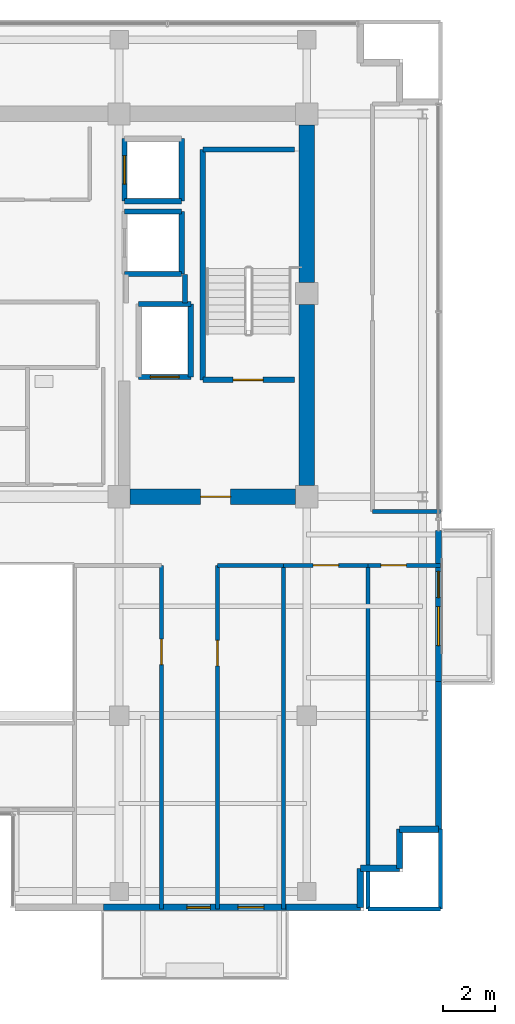
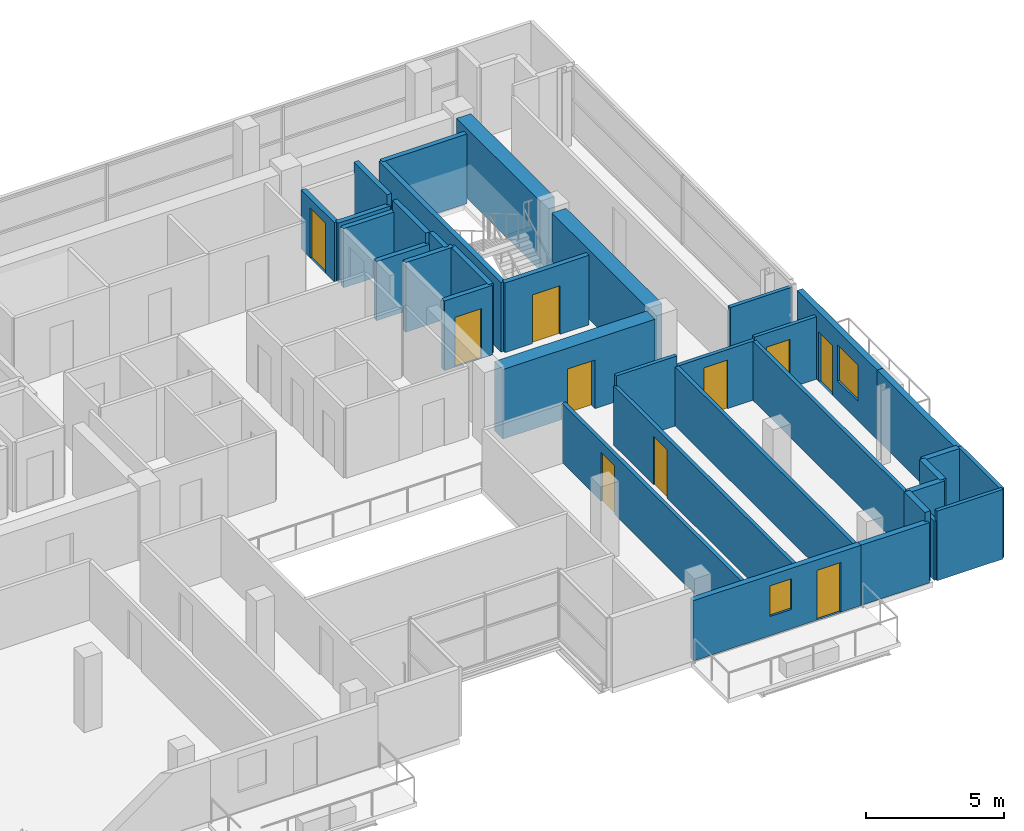
# One storey, part 18 of 22: 34 walls, 10 doors, 2 windows, 12 openings.
"""IFC4 building model written with IfcOpenShell, lengths in metres."""

from ifc_helpers import new_model, si_unit, direction, frame, frame_2d, origin, place, context, subcontext, project, spatial, rectangle, extrude, source, transform, mapped, material, layer, layer_set, type_object, element, fill, save


model = new_model("IFC4")

# Units and contexts
model_context = context("Model", 3, precision=1e-05, world=origin(), true_north=direction((0.0, 1.0)))
body_context = subcontext(model_context, "Body", "Model", "MODEL_VIEW")
ifc_project = project(units=[si_unit("LENGTHUNIT", "METRE"), si_unit("AREAUNIT", "SQUARE_METRE"), si_unit("VOLUMEUNIT", "CUBIC_METRE"), si_unit("PLANEANGLEUNIT", "RADIAN"), si_unit("MASSUNIT", "GRAM", prefix="KILO")], contexts=[model_context])

# Site, building, storey
site_placement = place(None, origin())
site = spatial("IfcSite", under=ifc_project, at=site_placement, CompositionType="ELEMENT")
building_placement = place(site_placement, origin())
building = spatial("IfcBuilding", under=site, at=building_placement, Name="Zarnakvel Exchange Tower", CompositionType="ELEMENT")
storey_placement = place(building_placement, frame((0.0, 0.0, 225.39990234375)))
storey = spatial("IfcBuildingStorey", under=building, at=storey_placement, Name="L63", CompositionType="ELEMENT", Elevation=225.39990234375)

# Walls
ifc_material_1 = material(Name="Concrete C50/60", Category="concrete")
ifc_layer_1 = layer(ifc_material_1, 0.60009765625)
ifc_layer_set_1 = layer_set([ifc_layer_1], Name="Concrete C50/60")
wall_type_1 = type_object("IfcWallType", Name="CW-C5", PredefinedType="SHEAR", material=ifc_layer_set_1)
wall_1_placement = place(storey_placement, frame((14.39990234375, -0.77490234375, 0.0), z_axis=(0.0, 0.0, 1.0), x_axis=(0.0, 1.0, 0.0)))
element("IfcWall", 1, at=wall_1_placement, inside=storey, type_object=wall_type_1, Name="L63 Rear Core Shear Wall E1 (CW-C5)", PredefinedType="SHEAR", context=body_context, shape_type="SweptSolid", body=[
    extrude(rectangle(XDim=6.949951171875, YDim=0.60009765625, at=frame_2d((3.47509765625, 0.0))), origin(), (0.0, 0.0, 1.0), 3.0751953125),
])
wall_2_placement = place(storey_placement, frame((14.39990234375, 7.02490234375, 0.0), z_axis=(0.0, 0.0, 1.0), x_axis=(0.0, 1.0, 0.0)))
element("IfcWall", 2, at=wall_2_placement, inside=storey, type_object=wall_type_1, Name="L63 Rear Core Shear Wall E2 (CW-C5)", PredefinedType="SHEAR", context=body_context, shape_type="SweptSolid", body=[
    extrude(rectangle(XDim=6.050048828125, YDim=0.60009765625, at=frame_2d((3.02490234375, 0.0))), origin(), (0.0, 0.0, 1.0), 3.0751953125),
])

# Wall, opening, door
wall_3_placement = place(storey_placement, frame((13.97509765625, -1.199951171875, 0.0), z_axis=(0.0, 0.0, 1.0), x_axis=(-1.0, 0.0, 0.0)))
wall_3 = element("IfcWall", 3, at=wall_3_placement, inside=storey, type_object=wall_type_1, Name="L63 Rear Core Shear Wall SE (CW-C5)", PredefinedType="SHEAR", context=body_context, shape_type="SweptSolid", body=[
    extrude(rectangle(XDim=6.35009765625, YDim=0.60009765625, at=frame_2d((3.175048828125, 0.0))), origin(), (0.0, 0.0, 1.0), 3.0751953125),
])
opening_1_placement = place(wall_3_placement, frame((2.5, 0.0, 0.0)))
opening_1 = element("IfcOpeningElement", 4, at=opening_1_placement, cuts=wall_3, Name="Opening D-L63-04", PredefinedType="OPENING", context=body_context, shape_type="SweptSolid", body=[
    extrude(rectangle(XDim=1.14990234375, YDim=2.14990234375, at=frame_2d((0.574951171875, 1.074951171875))), frame((0.0, 0.31005859375, 0.0), z_axis=(0.0, -1.0, 0.0), x_axis=(1.0, 0.0, 0.0)), (0.0, 0.0, 1.0), 0.6201171875),
])
ifc_material_2 = material(Name="Painted Galvanised Steel S355", Category="steel")
door_type_1 = type_object("IfcDoorType", Name="DT-04", OperationType="NOTDEFINED", PredefinedType="DOOR", material=ifc_material_2)
shared_shape_1 = source(origin(), body_context, "Body", "SweptSolid", [
    extrude(rectangle(XDim=1.14990234375, YDim=2.14990234375, at=frame_2d((0.574951171875, 1.074951171875))), frame((0.0, 0.02490234375, 0.0), z_axis=(0.0, -1.0, 0.0), x_axis=(1.0, 0.0, 0.0)), (0.0, 0.0, 1.0), 0.050048828125),
])
door_1_placement = place(opening_1_placement, origin())
door_1 = element("IfcDoor", 5, at=door_1_placement, inside=storey, type_object=door_type_1, Name="L63 Firefighting Lobby East Door D-L63-04", OperationType="SINGLE_SWING_RIGHT", OverallHeight=2.14990234375, OverallWidth=1.14990234375, PredefinedType="DOOR", context=body_context, shape_type="MappedRepresentation", body=[
    mapped(shared_shape_1, transform((0.0, 0.0, 0.0), x_axis=(1.0, 0.0, 0.0), y_axis=(0.0, 1.0, 0.0), z_axis=(0.0, 0.0, 1.0), scale=1.0)),
])
fill(opening_1, door_1)

# Wall, openings, door, window
ifc_material_3 = material(Name="Precast concrete C40/50", Category="concrete")
ifc_layer_2 = layer(ifc_material_3, 0.239990234375)
ifc_layer_set_2 = layer_set([ifc_layer_2], Name="Precast concrete C40/50")
wall_type_2 = type_object("IfcWallType", Name="EW-02", PredefinedType="SOLIDWALL", material=ifc_layer_set_2)
wall_4_placement = place(storey_placement, frame((13.60009765625, -16.9599609375, 0.0), z_axis=(0.0, 0.0, 1.0), x_axis=(-1.0, 0.0, 0.0)))
wall_4 = element("IfcWall", 6, at=wall_4_placement, inside=storey, type_object=wall_type_2, Name="L63 Exterior Precast Spandrel Wall EW-BAL-L63-SE (EW-02)", PredefinedType="SOLIDWALL", context=body_context, shape_type="SweptSolid", body=[
    extrude(rectangle(XDim=7.0, YDim=0.239990234375, at=frame_2d((3.5, 0.0))), origin(), (0.0, 0.0, 1.0), 2.6650390625),
])
opening_2_placement = place(wall_4_placement, frame((0.840087890625, 0.0, 0.0)))
opening_2 = element("IfcOpeningElement", 7, at=opening_2_placement, cuts=wall_4, Name="Opening BD-L63-02", PredefinedType="OPENING", context=body_context, shape_type="SweptSolid", body=[
    extrude(rectangle(XDim=1.0, YDim=2.199951171875, at=frame_2d((0.5, 1.10009765625))), frame((0.0, 0.1298828125, 0.0), z_axis=(0.0, -1.0, 0.0), x_axis=(1.0, 0.0, 0.0)), (0.0, 0.0, 1.0), 0.260009765625),
])
opening_3_placement = place(wall_4_placement, frame((2.89990234375, 0.0, 0.85009765625)))
opening_3 = element("IfcOpeningElement", 8, at=opening_3_placement, cuts=wall_4, Name="Opening WN-06", PredefinedType="OPENING", context=body_context, shape_type="SweptSolid", body=[
    extrude(rectangle(XDim=0.89990234375, YDim=1.35009765625, at=frame_2d((0.449951171875, 0.675048828125))), frame((0.0, 0.1298828125, 0.0), z_axis=(0.0, -1.0, 0.0), x_axis=(1.0, 0.0, 0.0)), (0.0, 0.0, 1.0), 0.260009765625),
])
ifc_material_4 = material(Name="Architectural Bronze Anodised Aluminium", Category="aluminium")
door_type_2 = type_object("IfcDoorType", Name="DT-09", OperationType="NOTDEFINED", PredefinedType="DOOR", material=ifc_material_4)
shared_shape_2 = source(origin(), body_context, "Body", "SweptSolid", [
    extrude(rectangle(XDim=1.0, YDim=2.199951171875, at=frame_2d((0.5, 1.10009765625))), frame((0.0, 0.02490234375, 0.0), z_axis=(0.0, -1.0, 0.0), x_axis=(1.0, 0.0, 0.0)), (0.0, 0.0, 1.0), 0.050048828125),
])
door_2_placement = place(opening_2_placement, origin())
door_2 = element("IfcDoor", 9, at=door_2_placement, inside=storey, type_object=door_type_2, Name="L63 Planted Loggia Balcony Door BD-L63-02", OperationType="SINGLE_SWING_RIGHT", OverallHeight=2.199951171875, OverallWidth=1.0, PredefinedType="DOOR", context=body_context, shape_type="MappedRepresentation", body=[
    mapped(shared_shape_2, transform((0.0, 0.0, 0.0), x_axis=(1.0, 0.0, 0.0), y_axis=(0.0, 1.0, 0.0), z_axis=(0.0, 0.0, 1.0), scale=1.0)),
])
fill(opening_2, door_2)
ifc_material_5 = material(Name="Double Low-E Laminated Vision Glass", Category="glass")
window_type_1 = type_object("IfcWindowType", Name="WN-06", PartitioningType="SINGLE_PANEL", PredefinedType="WINDOW", material=ifc_material_5)
shared_shape_3 = source(origin(), body_context, "Body", "SweptSolid", [
    extrude(rectangle(XDim=0.89990234375, YDim=1.35009765625, at=frame_2d((0.449951171875, 0.675048828125))), frame((0.0, 0.030029296875, 0.0), z_axis=(0.0, -1.0, 0.0), x_axis=(1.0, 0.0, 0.0)), (0.0, 0.0, 1.0), 0.06005859375),
])
window_1_placement = place(opening_3_placement, origin())
window_1 = element("IfcWindow", 10, at=window_1_placement, inside=storey, type_object=window_type_1, Name="L63 Loggia Daylight Window (WN-06)", OverallHeight=1.35009765625, OverallWidth=0.89990234375, PartitioningType="SINGLE_PANEL", PredefinedType="WINDOW", context=body_context, shape_type="MappedRepresentation", body=[
    mapped(shared_shape_3, transform((0.0, 0.0, 0.0), x_axis=(1.0, 0.0, 0.0), y_axis=(0.0, 1.0, 0.0), z_axis=(0.0, 0.0, 1.0), scale=1.0)),
])
fill(opening_3, window_1)

wall_5_placement = place(storey_placement, frame((19.4599609375, -2.5, 0.0), z_axis=(0.0, 0.0, 1.0), x_axis=(0.0, -1.0, 0.0)))
wall_5 = element("IfcWall", 11, at=wall_5_placement, inside=storey, type_object=wall_type_2, Name="L63 Exterior Precast Spandrel Wall EW-BAL-L63-E (EW-02)", PredefinedType="SOLIDWALL", context=body_context, shape_type="SweptSolid", body=[
    extrude(rectangle(XDim=5.800048828125, YDim=0.239990234375, at=frame_2d((2.89990234375, 0.0))), origin(), (0.0, 0.0, 1.0), 3.0751953125),
])
opening_4_placement = place(wall_5_placement, frame((1.56591796875, 0.0, 0.0)))
opening_4 = element("IfcOpeningElement", 12, at=opening_4_placement, cuts=wall_5, Name="Opening BD-L63-03", PredefinedType="OPENING", context=body_context, shape_type="SweptSolid", body=[
    extrude(rectangle(XDim=1.0, YDim=2.199951171875, at=frame_2d((0.5, 1.10009765625))), frame((0.0, 0.1298828125, 0.0), z_axis=(0.0, -1.0, 0.0), x_axis=(1.0, 0.0, 0.0)), (0.0, 0.0, 1.0), 0.260009765625),
])
opening_5_placement = place(wall_5_placement, frame((2.916015625, 0.0, 0.85009765625)))
opening_5 = element("IfcOpeningElement", 13, at=opening_5_placement, cuts=wall_5, Name="Opening WN-03", PredefinedType="OPENING", context=body_context, shape_type="SweptSolid", body=[
    extrude(rectangle(XDim=1.5, YDim=1.60009765625, at=frame_2d((0.75, 0.800048828125))), frame((0.0, 0.1298828125, 0.0), z_axis=(0.0, -1.0, 0.0), x_axis=(1.0, 0.0, 0.0)), (0.0, 0.0, 1.0), 0.260009765625),
])
door_3_placement = place(opening_4_placement, origin())
door_3 = element("IfcDoor", 14, at=door_3_placement, inside=storey, type_object=door_type_2, Name="L63 Planted Loggia Balcony Door BD-L63-03", OperationType="SINGLE_SWING_LEFT", OverallHeight=2.199951171875, OverallWidth=1.0, PredefinedType="DOOR", context=body_context, shape_type="MappedRepresentation", body=[
    mapped(shared_shape_2, transform((0.0, 0.0, 0.0), x_axis=(1.0, 0.0, 0.0), y_axis=(0.0, 1.0, 0.0), z_axis=(0.0, 0.0, 1.0), scale=1.0)),
])
fill(opening_4, door_3)
window_type_2 = type_object("IfcWindowType", Name="WN-03", PartitioningType="SINGLE_PANEL", PredefinedType="WINDOW", material=ifc_material_5)
shared_shape_4 = source(origin(), body_context, "Body", "SweptSolid", [
    extrude(rectangle(XDim=1.5, YDim=1.60009765625, at=frame_2d((0.75, 0.800048828125))), frame((0.0, 0.030029296875, 0.0), z_axis=(0.0, -1.0, 0.0), x_axis=(1.0, 0.0, 0.0)), (0.0, 0.0, 1.0), 0.06005859375),
])
window_2_placement = place(opening_5_placement, origin())
window_2 = element("IfcWindow", 15, at=window_2_placement, inside=storey, type_object=window_type_2, Name="L63 Loggia Daylight Window (WN-03)", OverallHeight=1.60009765625, OverallWidth=1.5, PartitioningType="SINGLE_PANEL", PredefinedType="WINDOW", context=body_context, shape_type="MappedRepresentation", body=[
    mapped(shared_shape_4, transform((0.0, 0.0, 0.0), x_axis=(1.0, 0.0, 0.0), y_axis=(0.0, 1.0, 0.0), z_axis=(0.0, 0.0, 1.0), scale=1.0)),
])
fill(opening_5, window_2)

# Walls
wall_6_placement = place(storey_placement, frame((19.4599609375, -13.9599609375, 0.0), z_axis=(0.0, 0.0, 1.0), x_axis=(0.0, 1.0, 0.0)))
element("IfcWall", 16, at=wall_6_placement, inside=storey, type_object=wall_type_2, Name="L63 Exterior Precast Spandrel Wall EWC-L63-10 (EW-02)", PredefinedType="SOLIDWALL", context=body_context, shape_type="SweptSolid", body=[
    extrude(rectangle(XDim=5.659912109375, YDim=0.239990234375, at=frame_2d((2.830078125, 0.0))), origin(), (0.0, 0.0, 1.0), 3.0751953125),
])
for number, where, z_axis, x_axis, name in (
    (17, (17.9599609375, -13.9599609375, 0.0), (0.0, 0.0, 1.0), (1.0, 0.0, 0.0), "L63 Exterior Precast Spandrel Wall EWC-L63-11 (EW-02)"),
    (18, (17.9599609375, -15.4599609375, 0.0), (0.0, 0.0, 1.0), (0.0, 1.0, 0.0), "L63 Exterior Precast Spandrel Wall EWC-L63-12 (EW-02)"),
    (19, (16.4599609375, -15.4599609375, 0.0), (0.0, 0.0, 1.0), (1.0, 0.0, 0.0), "L63 Exterior Precast Spandrel Wall EWC-L63-13 (EW-02)"),
    (20, (16.4599609375, -16.9599609375, 0.0), (0.0, 0.0, 1.0), (0.0, 1.0, 0.0), "L63 Exterior Precast Spandrel Wall EWC-L63-14 (EW-02)"),
):
    element("IfcWall", number, at=place(storey_placement, frame(where, z_axis=z_axis, x_axis=x_axis)), inside=storey, type_object=wall_type_2, Name=name, PredefinedType="SOLIDWALL", context=body_context, shape_type="SweptSolid", body=[
        extrude(rectangle(XDim=1.5, YDim=0.239990234375, at=frame_2d((0.75, 0.0))), origin(), (0.0, 0.0, 1.0), 3.0751953125),
    ])
wall_7_placement = place(storey_placement, frame((13.60009765625, -16.9599609375, 0.0), z_axis=(0.0, 0.0, 1.0), x_axis=(1.0, 0.0, 0.0)))
element("IfcWall", 21, at=wall_7_placement, inside=storey, type_object=wall_type_2, Name="L63 Exterior Precast Spandrel Wall EWC-L63-15 (EW-02)", PredefinedType="SOLIDWALL", context=body_context, shape_type="SweptSolid", body=[
    extrude(rectangle(XDim=2.85986328125, YDim=0.239990234375, at=frame_2d((1.429931640625, 0.0))), origin(), (0.0, 0.0, 1.0), 2.6650390625),
])
ifc_material_6 = material(Name="Fire-Rated Gypsum Stud Partition", Category="gypsum")
ifc_layer_3 = layer(ifc_material_6, 0.14990234375)
ifc_layer_set_3 = layer_set([ifc_layer_3], Name="Fire-Rated Gypsum Stud Partition")
wall_type_3 = type_object("IfcWallType", Name="PT-01", PredefinedType="PARTITIONING", material=ifc_layer_set_3)
wall_8_placement = place(storey_placement, frame((10.97998046875, -3.830078125, 0.0), z_axis=(0.0, 0.0, 1.0), x_axis=(1.0, 0.0, 0.0)))
element("IfcWall", 22, at=wall_8_placement, inside=storey, type_object=wall_type_3, Name="L63 Partition Wall PWALL-L63-049 (PT-01)", PredefinedType="PARTITIONING", context=body_context, shape_type="SweptSolid", body=[
    extrude(rectangle(XDim=2.533447265625, YDim=0.14990234375, at=frame_2d((1.2666015625, 0.0))), origin(), (0.0, 0.0, 1.0), 3.0751953125),
])

# Wall, opening, door
wall_9_placement = place(storey_placement, frame((10.97998046875, -17.030029296875, 0.0), z_axis=(0.0, 0.0, 1.0), x_axis=(0.0, 1.0, 0.0)))
wall_9 = element("IfcWall", 23, at=wall_9_placement, inside=storey, type_object=wall_type_3, Name="L63 Partition Wall PWALL-L63-050 (PT-01)", PredefinedType="PARTITIONING", context=body_context, shape_type="SweptSolid", body=[
    extrude(rectangle(XDim=13.199951171875, YDim=0.14990234375, at=frame_2d((6.60009765625, 0.0))), origin(), (0.0, 0.0, 1.0), 2.614990234375),
])
opening_6_placement = place(wall_9_placement, frame((9.340087890625, 0.0, 0.0)))
opening_6 = element("IfcOpeningElement", 24, at=opening_6_placement, cuts=wall_9, Name="Opening D-L63-18", PredefinedType="OPENING", context=body_context, shape_type="SweptSolid", body=[
    extrude(rectangle(XDim=0.97998046875, YDim=2.14990234375, at=frame_2d((0.489990234375, 1.074951171875))), frame((0.0, 0.0849609375, 0.0), z_axis=(0.0, -1.0, 0.0), x_axis=(1.0, 0.0, 0.0)), (0.0, 0.0, 1.0), 0.169921875),
])
ifc_material_7 = material(Name="Timber Acoustic Veneer", Category="wood")
door_type_3 = type_object("IfcDoorType", Name="DT-05", OperationType="NOTDEFINED", PredefinedType="DOOR", material=ifc_material_7)
shared_shape_5 = source(origin(), body_context, "Body", "SweptSolid", [
    extrude(rectangle(XDim=0.97998046875, YDim=2.14990234375, at=frame_2d((0.489990234375, 1.074951171875))), frame((0.0, 0.02490234375, 0.0), z_axis=(0.0, -1.0, 0.0), x_axis=(1.0, 0.0, 0.0)), (0.0, 0.0, 1.0), 0.050048828125),
])
door_4_placement = place(opening_6_placement, origin())
door_4 = element("IfcDoor", 25, at=door_4_placement, inside=storey, type_object=door_type_3, Name="L63 Conference Room Door D-L63-18", OperationType="SINGLE_SWING_RIGHT", OverallHeight=2.14990234375, OverallWidth=0.97998046875, PredefinedType="DOOR", context=body_context, shape_type="MappedRepresentation", body=[
    mapped(shared_shape_5, transform((0.0, 0.0, 0.0), x_axis=(1.0, 0.0, 0.0), y_axis=(0.0, 1.0, 0.0), z_axis=(0.0, 0.0, 1.0), scale=1.0)),
])
fill(opening_6, door_4)

# Wall
wall_10_placement = place(storey_placement, frame((13.513427734375, -3.830078125, 0.0), z_axis=(0.0, 0.0, 1.0), x_axis=(0.0, -1.0, 0.0)))
element("IfcWall", 26, at=wall_10_placement, inside=storey, type_object=wall_type_3, Name="L63 Partition Wall PWALL-L63-051 (PT-01)", PredefinedType="PARTITIONING", context=body_context, shape_type="SweptSolid", body=[
    extrude(rectangle(XDim=13.199951171875, YDim=0.14990234375, at=frame_2d((6.60009765625, 0.0))), origin(), (0.0, 0.0, 1.0), 2.614990234375),
])

# Wall, opening, door
wall_11_placement = place(storey_placement, frame((13.513427734375, -3.830078125, 0.0), z_axis=(0.0, 0.0, 1.0), x_axis=(1.0, 0.0, 0.0)))
wall_11 = element("IfcWall", 27, at=wall_11_placement, inside=storey, type_object=wall_type_3, Name="L63 Partition Wall PWALL-L63-053 (PT-01)", PredefinedType="PARTITIONING", context=body_context, shape_type="SweptSolid", body=[
    extrude(rectangle(XDim=3.24560546875, YDim=0.14990234375, at=frame_2d((1.622802734375, 0.0))), origin(), (0.0, 0.0, 1.0), 2.614990234375),
])
opening_7_placement = place(wall_11_placement, frame((1.132568359375, 0.0, 0.0)))
opening_7 = element("IfcOpeningElement", 28, at=opening_7_placement, cuts=wall_11, Name="Opening D-L63-19", PredefinedType="OPENING", context=body_context, shape_type="SweptSolid", body=[
    extrude(rectangle(XDim=0.97998046875, YDim=2.14990234375, at=frame_2d((0.489990234375, 1.074951171875))), frame((0.0, 0.0849609375, 0.0), z_axis=(0.0, -1.0, 0.0), x_axis=(1.0, 0.0, 0.0)), (0.0, 0.0, 1.0), 0.169921875),
])
door_5_placement = place(opening_7_placement, origin())
door_5 = element("IfcDoor", 29, at=door_5_placement, inside=storey, type_object=door_type_3, Name="L63 Executive Suite Door D-L63-19", OperationType="SINGLE_SWING_LEFT", OverallHeight=2.14990234375, OverallWidth=0.97998046875, PredefinedType="DOOR", context=body_context, shape_type="MappedRepresentation", body=[
    mapped(shared_shape_5, transform((0.0, 0.0, 0.0), x_axis=(1.0, 0.0, 0.0), y_axis=(0.0, 1.0, 0.0), z_axis=(0.0, 0.0, 1.0), scale=1.0)),
])
fill(opening_7, door_5)

# Walls
wall_12_placement = place(storey_placement, frame((16.759033203125, -3.830078125, 0.0), z_axis=(0.0, 0.0, 1.0), x_axis=(0.0, -1.0, 0.0)))
element("IfcWall", 30, at=wall_12_placement, inside=storey, type_object=wall_type_3, Name="L63 Partition Wall PWALL-L63-054 (PT-01)", PredefinedType="PARTITIONING", context=body_context, shape_type="SweptSolid", body=[
    extrude(rectangle(XDim=13.199951171875, YDim=0.14990234375, at=frame_2d((6.60009765625, 0.0))), origin(), (0.0, 0.0, 1.0), 2.614990234375),
])
wall_13_placement = place(storey_placement, frame((19.530029296875, -17.030029296875, 0.0), z_axis=(0.0, 0.0, 1.0), x_axis=(-1.0, 0.0, 0.0)))
element("IfcWall", 31, at=wall_13_placement, inside=storey, type_object=wall_type_3, Name="L63 Partition Wall PWALL-L63-055 (PT-01)", PredefinedType="PARTITIONING", context=body_context, shape_type="SweptSolid", body=[
    extrude(rectangle(XDim=2.77099609375, YDim=0.14990234375, at=frame_2d((1.385498046875, 0.0))), origin(), (0.0, 0.0, 1.0), 3.0751953125),
])

# Wall, opening, door
wall_14_placement = place(storey_placement, frame((16.759033203125, -3.830078125, 0.0), z_axis=(0.0, 0.0, 1.0), x_axis=(1.0, 0.0, 0.0)))
wall_14 = element("IfcWall", 32, at=wall_14_placement, inside=storey, type_object=wall_type_3, Name="L63 Partition Wall PWALL-L63-056 (PT-01)", PredefinedType="PARTITIONING", context=body_context, shape_type="SweptSolid", body=[
    extrude(rectangle(XDim=2.77099609375, YDim=0.14990234375, at=frame_2d((1.385498046875, 0.0))), origin(), (0.0, 0.0, 1.0), 2.76513671875),
])
opening_8_placement = place(wall_14_placement, frame((0.489990234375, 0.0, 0.0)))
opening_8 = element("IfcOpeningElement", 33, at=opening_8_placement, cuts=wall_14, Name="Opening D-L63-20", PredefinedType="OPENING", context=body_context, shape_type="SweptSolid", body=[
    extrude(rectangle(XDim=0.97998046875, YDim=2.14990234375, at=frame_2d((0.489990234375, 1.074951171875))), frame((0.0, 0.0849609375, 0.0), z_axis=(0.0, -1.0, 0.0), x_axis=(1.0, 0.0, 0.0)), (0.0, 0.0, 1.0), 0.169921875),
])
door_6_placement = place(opening_8_placement, origin())
door_6 = element("IfcDoor", 34, at=door_6_placement, inside=storey, type_object=door_type_3, Name="L63 Staff Pantry Door D-L63-20", OperationType="SINGLE_SWING_RIGHT", OverallHeight=2.14990234375, OverallWidth=0.97998046875, PredefinedType="DOOR", context=body_context, shape_type="MappedRepresentation", body=[
    mapped(shared_shape_5, transform((0.0, 0.0, 0.0), x_axis=(1.0, 0.0, 0.0), y_axis=(0.0, 1.0, 0.0), z_axis=(0.0, 0.0, 1.0), scale=1.0)),
])
fill(opening_8, door_6)

# Wall
wall_15_placement = place(storey_placement, frame((19.530029296875, -13.9599609375, 0.0), z_axis=(0.0, 0.0, 1.0), x_axis=(0.0, -1.0, 0.0)))
element("IfcWall", 35, at=wall_15_placement, inside=storey, type_object=wall_type_3, Name="L63 Partition Wall PWALL-L63-057 (PT-01)", PredefinedType="PARTITIONING", context=body_context, shape_type="SweptSolid", body=[
    extrude(rectangle(XDim=3.070068359375, YDim=0.14990234375, at=frame_2d((1.53515625, 0.0))), origin(), (0.0, 0.0, 1.0), 3.0751953125),
])

# Wall, opening, door
wall_16_placement = place(storey_placement, frame((8.820068359375, -3.830078125, 0.0), z_axis=(0.0, 0.0, 1.0), x_axis=(0.0, -1.0, 0.0)))
wall_16 = element("IfcWall", 36, at=wall_16_placement, inside=storey, type_object=wall_type_3, Name="L63 Partition Wall PWALL-L63-065 (PT-01)", PredefinedType="PARTITIONING", context=body_context, shape_type="SweptSolid", body=[
    extrude(rectangle(XDim=13.199951171875, YDim=0.14990234375, at=frame_2d((6.60009765625, 0.0))), origin(), (0.0, 0.0, 1.0), 2.614990234375),
])
opening_9_placement = place(wall_16_placement, frame((2.8349609375, 0.0, 0.0)))
opening_9 = element("IfcOpeningElement", 37, at=opening_9_placement, cuts=wall_16, Name="Opening D-L63-22", PredefinedType="OPENING", context=body_context, shape_type="SweptSolid", body=[
    extrude(rectangle(XDim=0.97998046875, YDim=2.14990234375, at=frame_2d((0.489990234375, 1.074951171875))), frame((0.0, 0.0849609375, 0.0), z_axis=(0.0, -1.0, 0.0), x_axis=(1.0, 0.0, 0.0)), (0.0, 0.0, 1.0), 0.169921875),
])
door_7_placement = place(opening_9_placement, origin())
door_7 = element("IfcDoor", 38, at=door_7_placement, inside=storey, type_object=door_type_3, Name="L63 Compliance Office Door D-L63-22", OperationType="SINGLE_SWING_RIGHT", OverallHeight=2.14990234375, OverallWidth=0.97998046875, PredefinedType="DOOR", context=body_context, shape_type="MappedRepresentation", body=[
    mapped(shared_shape_5, transform((0.0, 0.0, 0.0), x_axis=(1.0, 0.0, 0.0), y_axis=(0.0, 1.0, 0.0), z_axis=(0.0, 0.0, 1.0), scale=1.0)),
])
fill(opening_9, door_7)

# Walls
wall_17_placement = place(storey_placement, frame((19.530029296875, -1.77001953125, 0.0), z_axis=(0.0, 0.0, 1.0), x_axis=(-1.0, 0.0, 0.0)))
element("IfcWall", 39, at=wall_17_placement, inside=storey, type_object=wall_type_3, Name="L63 Partition Wall PWALL-L63-071 (PT-01)", PredefinedType="PARTITIONING", context=body_context, shape_type="SweptSolid", body=[
    extrude(rectangle(XDim=2.60009765625, YDim=0.14990234375, at=frame_2d((1.300048828125, 0.0))), origin(), (0.0, 0.0, 1.0), 2.76513671875),
])
ifc_layer_4 = layer(ifc_material_6, 0.179931640625)
ifc_layer_set_4 = layer_set([ifc_layer_4], Name="Fire-Rated Gypsum Stud Partition")
wall_type_4 = type_object("IfcWallType", Name="PT-02", PredefinedType="PARTITIONING", material=ifc_layer_set_4)
wall_18_placement = place(storey_placement, frame((9.72998046875, 7.330078125, 0.0), z_axis=(0.0, 0.0, 1.0), x_axis=(0.0, -1.0, 0.0)))
element("IfcWall", 40, at=wall_18_placement, inside=storey, type_object=wall_type_4, Name="L63 Partition Wall PWALL-L63-010 (PT-02)", PredefinedType="PARTITIONING", context=body_context, shape_type="SweptSolid", body=[
    extrude(rectangle(XDim=1.090087890625, YDim=0.179931640625, at=frame_2d((0.544921875, 0.0))), origin(), (0.0, 0.0, 1.0), 3.0751953125),
])

# Wall, opening, door
ifc_material_8 = material(Name="Concrete C40/50", Category="concrete")
ifc_layer_5 = layer(ifc_material_8, 0.199951171875)
ifc_layer_set_5 = layer_set([ifc_layer_5], Name="Concrete C40/50")
wall_type_5 = type_object("IfcWallType", Name="SW-01", PredefinedType="SOLIDWALL", material=ifc_layer_set_5)
wall_19_placement = place(storey_placement, frame((9.949951171875, 3.39990234375, 0.0), z_axis=(0.0, 0.0, 1.0), x_axis=(-1.0, 0.0, 0.0)))
wall_19 = element("IfcWall", 41, at=wall_19_placement, inside=storey, type_object=wall_type_5, Name="L63 FL-02 Hoistway Wall South", PredefinedType="SOLIDWALL", context=body_context, shape_type="SweptSolid", body=[
    extrude(rectangle(XDim=2.0, YDim=0.199951171875, at=frame_2d((1.0, 0.0))), origin(), (0.0, 0.0, 1.0), 3.0751953125),
])
opening_10_placement = place(wall_19_placement, frame((0.449951171875, 0.0, 0.0)))
opening_10 = element("IfcOpeningElement", 42, at=opening_10_placement, cuts=wall_19, Name="Opening LD-FL-02-L63", PredefinedType="OPENING", context=body_context, shape_type="SweptSolid", body=[
    extrude(rectangle(XDim=1.10009765625, YDim=2.199951171875, at=frame_2d((0.550048828125, 1.10009765625))), frame((0.0, 0.10986328125, 0.0), z_axis=(0.0, -1.0, 0.0), x_axis=(1.0, 0.0, 0.0)), (0.0, 0.0, 1.0), 0.219970703125),
])
ifc_material_9 = material(Name="Brushed Stainless Steel", Category="steel")
door_type_4 = type_object("IfcDoorType", Name="LDT-01", OperationType="NOTDEFINED", PredefinedType="DOOR", material=ifc_material_9)
shared_shape_6 = source(origin(), body_context, "Body", "SweptSolid", [
    extrude(rectangle(XDim=1.10009765625, YDim=2.199951171875, at=frame_2d((0.550048828125, 1.10009765625))), frame((0.0, 0.02490234375, 0.0), z_axis=(0.0, -1.0, 0.0), x_axis=(1.0, 0.0, 0.0)), (0.0, 0.0, 1.0), 0.050048828125),
])
door_8_placement = place(opening_10_placement, origin())
door_8 = element("IfcDoor", 43, at=door_8_placement, inside=storey, type_object=door_type_4, Name="L63 FL-02 Lift Landing Door LD-FL-02-L63", OperationType="DOUBLE_DOOR_SLIDING", OverallHeight=2.199951171875, OverallWidth=1.10009765625, PredefinedType="DOOR", context=body_context, shape_type="MappedRepresentation", body=[
    mapped(shared_shape_6, transform((0.0, 0.0, 0.0), x_axis=(1.0, 0.0, 0.0), y_axis=(0.0, 1.0, 0.0), z_axis=(0.0, 0.0, 1.0), scale=1.0)),
])
fill(opening_10, door_8)

# Walls
wall_20_placement = place(storey_placement, frame((7.949951171875, 6.199951171875, 0.0), z_axis=(0.0, 0.0, 1.0), x_axis=(1.0, 0.0, 0.0)))
element("IfcWall", 44, at=wall_20_placement, inside=storey, type_object=wall_type_5, Name="L63 FL-02 Hoistway Wall North", PredefinedType="SOLIDWALL", context=body_context, shape_type="SweptSolid", body=[
    extrude(rectangle(XDim=2.0, YDim=0.199951171875, at=frame_2d((1.0, 0.0))), origin(), (0.0, 0.0, 1.0), 3.0751953125),
])
wall_21_placement = place(storey_placement, frame((9.949951171875, 6.199951171875, 0.0), z_axis=(0.0, 0.0, 1.0), x_axis=(0.0, -1.0, 0.0)))
element("IfcWall", 45, at=wall_21_placement, inside=storey, type_object=wall_type_5, Name="L63 FL-02 Hoistway Wall East", PredefinedType="SOLIDWALL", context=body_context, shape_type="SweptSolid", body=[
    extrude(rectangle(XDim=2.800048828125, YDim=0.199951171875, at=frame_2d((1.39990234375, 0.0))), origin(), (0.0, 0.0, 1.0), 3.0751953125),
])
for number, where, z_axis, x_axis, name in (
    (46, (9.60009765625, 7.35009765625, 0.0), (0.0, 0.0, 1.0), (-1.0, 0.0, 0.0), "L63 PL-11 Hoistway Wall South"),
    (47, (7.39990234375, 9.75, 0.0), (0.0, 0.0, 1.0), (1.0, 0.0, 0.0), "L63 PL-11 Hoistway Wall North"),
):
    element("IfcWall", number, at=place(storey_placement, frame(where, z_axis=z_axis, x_axis=x_axis)), inside=storey, type_object=wall_type_5, Name=name, PredefinedType="SOLIDWALL", context=body_context, shape_type="SweptSolid", body=[
        extrude(rectangle(XDim=2.2001953125, YDim=0.199951171875, at=frame_2d((1.10009765625, 0.0))), origin(), (0.0, 0.0, 1.0), 2.614990234375),
    ])
wall_22_placement = place(storey_placement, frame((9.60009765625, 9.75, 0.0), z_axis=(0.0, 0.0, 1.0), x_axis=(0.0, -1.0, 0.0)))
element("IfcWall", 48, at=wall_22_placement, inside=storey, type_object=wall_type_5, Name="L63 PL-11 Hoistway Wall East", PredefinedType="SOLIDWALL", context=body_context, shape_type="SweptSolid", body=[
    extrude(rectangle(XDim=2.39990234375, YDim=0.199951171875, at=frame_2d((1.199951171875, 0.0))), origin(), (0.0, 0.0, 1.0), 3.0751953125),
])
wall_23_placement = place(storey_placement, frame((9.60009765625, 10.14990234375, 0.0), z_axis=(0.0, 0.0, 1.0), x_axis=(-1.0, 0.0, 0.0)))
element("IfcWall", 49, at=wall_23_placement, inside=storey, type_object=wall_type_5, Name="L63 PL-12 Hoistway Wall South", PredefinedType="SOLIDWALL", context=body_context, shape_type="SweptSolid", body=[
    extrude(rectangle(XDim=2.2001953125, YDim=0.199951171875, at=frame_2d((1.10009765625, 0.0))), origin(), (0.0, 0.0, 1.0), 2.614990234375),
])

# Wall, opening, door
wall_24_placement = place(storey_placement, frame((7.39990234375, 10.14990234375, 0.0), z_axis=(0.0, 0.0, 1.0), x_axis=(0.0, 1.0, 0.0)))
wall_24 = element("IfcWall", 50, at=wall_24_placement, inside=storey, type_object=wall_type_5, Name="L63 PL-12 Hoistway Wall West", PredefinedType="SOLIDWALL", context=body_context, shape_type="SweptSolid", body=[
    extrude(rectangle(XDim=2.400146484375, YDim=0.199951171875, at=frame_2d((1.2001953125, 0.0))), origin(), (0.0, 0.0, 1.0), 2.614990234375),
])
opening_11_placement = place(wall_24_placement, frame((0.64990234375, 0.0, 0.0)))
opening_11 = element("IfcOpeningElement", 51, at=opening_11_placement, cuts=wall_24, Name="Opening LD-PL-12-L63", PredefinedType="OPENING", context=body_context, shape_type="SweptSolid", body=[
    extrude(rectangle(XDim=1.10009765625, YDim=2.199951171875, at=frame_2d((0.550048828125, 1.10009765625))), frame((0.0, 0.10986328125, 0.0), z_axis=(0.0, -1.0, 0.0), x_axis=(1.0, 0.0, 0.0)), (0.0, 0.0, 1.0), 0.219970703125),
])
door_type_5 = type_object("IfcDoorType", Name="LDT-02", OperationType="NOTDEFINED", PredefinedType="DOOR", material=ifc_material_4)
door_9_placement = place(opening_11_placement, origin())
door_9 = element("IfcDoor", 52, at=door_9_placement, inside=storey, type_object=door_type_5, Name="L63 PL-12 Lift Landing Door LD-PL-12-L63", OperationType="DOUBLE_DOOR_SLIDING", OverallHeight=2.199951171875, OverallWidth=1.10009765625, PredefinedType="DOOR", context=body_context, shape_type="MappedRepresentation", body=[
    mapped(shared_shape_6, transform((0.0, 0.0, 0.0), x_axis=(1.0, 0.0, 0.0), y_axis=(0.0, 1.0, 0.0), z_axis=(0.0, 0.0, 1.0), scale=1.0)),
])
fill(opening_11, door_9)

# Wall
wall_25_placement = place(storey_placement, frame((9.60009765625, 12.550048828125, 0.0), z_axis=(0.0, 0.0, 1.0), x_axis=(0.0, -1.0, 0.0)))
element("IfcWall", 53, at=wall_25_placement, inside=storey, type_object=wall_type_5, Name="L63 PL-12 Hoistway Wall East", PredefinedType="SOLIDWALL", context=body_context, shape_type="SweptSolid", body=[
    extrude(rectangle(XDim=2.400146484375, YDim=0.199951171875, at=frame_2d((1.2001953125, 0.0))), origin(), (0.0, 0.0, 1.0), 3.0751953125),
])

# Wall, opening, door
ifc_layer_6 = layer(ifc_material_8, 0.199951171875)
ifc_layer_set_6 = layer_set([ifc_layer_6], Name="Concrete C40/50")
wall_type_6 = type_object("IfcWallType", Name="SW-02", PredefinedType="SOLIDWALL", material=ifc_layer_set_6)
wall_26_placement = place(storey_placement, frame((13.929931640625, 3.2900390625, 0.0), z_axis=(0.0, 0.0, 1.0), x_axis=(-1.0, 0.0, 0.0)))
wall_26 = element("IfcWall", 54, at=wall_26_placement, inside=storey, type_object=wall_type_6, Name="L63 Stairwell Core Wall PWALL-L63-004 (SW-02)", PredefinedType="SOLIDWALL", context=body_context, shape_type="SweptSolid", body=[
    extrude(rectangle(XDim=3.52001953125, YDim=0.199951171875, at=frame_2d((1.760009765625, 0.0))), origin(), (0.0, 0.0, 1.0), 3.0751953125),
])
opening_12_placement = place(wall_26_placement, frame((1.205078125, 0.0, 0.0)))
opening_12 = element("IfcOpeningElement", 55, at=opening_12_placement, cuts=wall_26, Name="Opening D-L63-02", PredefinedType="OPENING", context=body_context, shape_type="SweptSolid", body=[
    extrude(rectangle(XDim=1.14990234375, YDim=2.14990234375, at=frame_2d((0.574951171875, 1.074951171875))), frame((0.0, 0.10986328125, 0.0), z_axis=(0.0, -1.0, 0.0), x_axis=(1.0, 0.0, 0.0)), (0.0, 0.0, 1.0), 0.219970703125),
])
door_10_placement = place(opening_12_placement, origin())
door_10 = element("IfcDoor", 56, at=door_10_placement, inside=storey, type_object=door_type_1, Name="L63 Stairwell ST-02 Door D-L63-02", OperationType="SINGLE_SWING_RIGHT", OverallHeight=2.14990234375, OverallWidth=1.14990234375, PredefinedType="DOOR", context=body_context, shape_type="MappedRepresentation", body=[
    mapped(shared_shape_1, transform((0.0, 0.0, 0.0), x_axis=(1.0, 0.0, 0.0), y_axis=(0.0, 1.0, 0.0), z_axis=(0.0, 0.0, 1.0), scale=1.0)),
])
fill(opening_12, door_10)

# Walls
wall_27_placement = place(storey_placement, frame((10.409912109375, 12.1298828125, 0.0), z_axis=(0.0, 0.0, 1.0), x_axis=(1.0, 0.0, 0.0)))
element("IfcWall", 57, at=wall_27_placement, inside=storey, type_object=wall_type_6, Name="L63 Stairwell Core Wall PWALL-L63-005 (SW-02)", PredefinedType="SOLIDWALL", context=body_context, shape_type="SweptSolid", body=[
    extrude(rectangle(XDim=3.52001953125, YDim=0.199951171875, at=frame_2d((1.760009765625, 0.0))), origin(), (0.0, 0.0, 1.0), 3.0751953125),
])
wall_28_placement = place(storey_placement, frame((10.409912109375, 3.2900390625, 0.0), z_axis=(0.0, 0.0, 1.0), x_axis=(0.0, 1.0, 0.0)))
element("IfcWall", 58, at=wall_28_placement, inside=storey, type_object=wall_type_6, Name="L63 Stairwell Core Wall PWALL-L63-006 (SW-02)", PredefinedType="SOLIDWALL", context=body_context, shape_type="SweptSolid", body=[
    extrude(rectangle(XDim=8.83984375, YDim=0.199951171875, at=frame_2d((4.419921875, 0.0))), origin(), (0.0, 0.0, 1.0), 3.0751953125),
])

save(model, "model.ifc")
